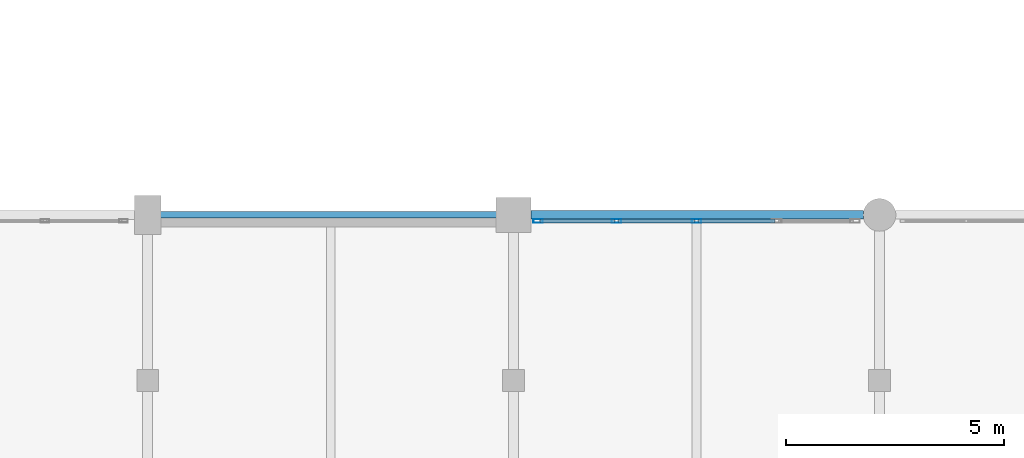
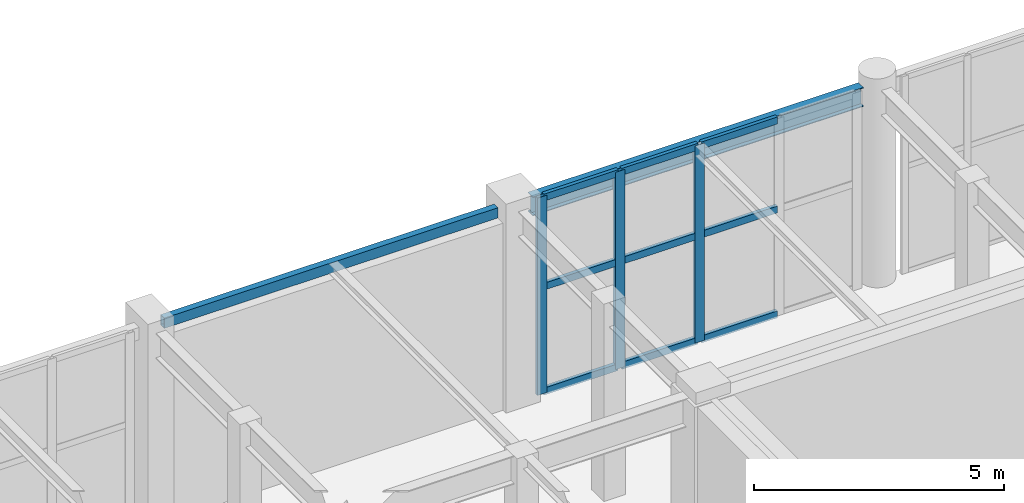
# One storey, part 62 of 128: 12 members, 2 beams, 1 element without a shape of its own.
"""IFC4 building model written with IfcOpenShell, lengths in metres."""

from ifc_helpers import new_model, si_unit, direction, frame, origin, origin_2d, place, context, subcontext, project, spatial, hollow_rectangle, i_section, extrude, material, layer, layer_set, material_profile, profile_set, type_object, element, aggregate, save


model = new_model("IFC4")

# Units and contexts
model_context = context("Model", 3, precision=1e-05, world=origin(), true_north=direction((0.0, 1.0)))
body_context = subcontext(model_context, "Body", "Model", "MODEL_VIEW")
ifc_project = project(units=[si_unit("LENGTHUNIT", "METRE"), si_unit("AREAUNIT", "SQUARE_METRE"), si_unit("VOLUMEUNIT", "CUBIC_METRE"), si_unit("PLANEANGLEUNIT", "RADIAN"), si_unit("MASSUNIT", "GRAM", prefix="KILO")], contexts=[model_context])

# Site, building, storey
site_placement = place(None, origin())
site = spatial("IfcSite", under=ifc_project, at=site_placement, CompositionType="ELEMENT")
building_placement = place(site_placement, origin())
building = spatial("IfcBuilding", under=site, at=building_placement, Name="Xicomal Pleat Aquarium", CompositionType="ELEMENT")
storey_placement = place(building_placement, frame((0.0, 0.0, 5.39990234375)))
storey = spatial("IfcBuildingStorey", under=building, at=storey_placement, Name="L02", CompositionType="ELEMENT", Elevation=5.39990234375)

# Beams
ifc_material_1 = material(Name="Structural steel A992 Gr 50", Category="steel")
ifc_material_profile_1 = material_profile(ifc_material_1, i_section(OverallWidth=0.194091796875, OverallDepth=0.468994140625, WebThickness=0.0126953125, FlangeThickness=0.0205078125, at=origin_2d()), Name="IR 460x106")
ifc_profile_set_1 = profile_set([ifc_material_profile_1], Name="Structural steel A992 Gr 50")
beam_type_1 = type_object("IfcBeamType", Name="BM-STL-IR460", PredefinedType="BEAM", material=ifc_profile_set_1)
beam_1_placement = place(storey_placement, frame((60.9951171875, 83.60009765625, 4.585693359375), z_axis=(1.0, 0.0, 0.0), x_axis=(0.0, 1.0, 0.0)))
element("IfcBeam", 1, at=beam_1_placement, inside=storey, type_object=beam_type_1, Name="L02 framing beam FGX-L02-08-09-M", PredefinedType="BEAM", context=body_context, shape_type="SweptSolid", body=[
    extrude(i_section(OverallWidth=0.194091796875, OverallDepth=0.468994140625, WebThickness=0.0126953125, FlangeThickness=0.0205078125, at=origin_2d()), origin(), (0.0, 0.0, 1.0), 7.634765625),
])
ifc_material_2 = material(Name="Structural steel A500 Gr C", Category="steel")
ifc_material_profile_2 = material_profile(ifc_material_2, hollow_rectangle(XDim=0.14990234375, YDim=0.25, WallThickness=0.010009765625, at=origin_2d()), Name="OR 250x150x10")
ifc_profile_set_2 = profile_set([ifc_material_profile_2], Name="Structural steel A500 Gr C")
beam_type_2 = type_object("IfcBeamType", Name="BM-STL-OR250", PredefinedType="SPANDREL", material=ifc_profile_set_2)
beam_2_placement = place(storey_placement, frame((52.4951171875, 83.60009765625, 4.695068359375), z_axis=(1.0, 0.0, 0.0), x_axis=(0.0, 1.0, 0.0)))
element("IfcBeam", 2, at=beam_2_placement, inside=storey, type_object=beam_type_2, Name="L02 framing beam FGX-L02-07-08-M", PredefinedType="SPANDREL", context=body_context, shape_type="SweptSolid", body=[
    extrude(hollow_rectangle(XDim=0.14990234375, YDim=0.25, WallThickness=0.010009765625, at=origin_2d()), origin(), (0.0, 0.0, 1.0), 7.7099609375),
])

# Curtain wall, members
ifc_material_3 = material(Name="Bronze anodized aluminium 6063-T6", Category="aluminium")
ifc_layer = layer(ifc_material_3, 0.159912109375)
ifc_layer_set = layer_set([ifc_layer], Name="Bronze anodized aluminium 6063-T6")
curtain_wall_type = type_object("IfcCurtainWallType", Name="CW-SYS-12", PredefinedType="NOTDEFINED", material=ifc_layer_set)
curtain_wall_placement = place(storey_placement, origin())
curtain_wall = element("IfcCurtainWall", 3, at=curtain_wall_placement, inside=storey, type_object=curtain_wall_type, Name="L02 unitised curtain wall CW-L02-104", PredefinedType="NOTDEFINED")
ifc_material_4 = material(Name="Bronze anodized aluminium 6063-T6", Category="aluminium")
ifc_material_profile_3 = material_profile(ifc_material_4, hollow_rectangle(XDim=0.0849609375, YDim=0.219970703125, WallThickness=0.0048828125, at=origin_2d()), Name="ALU MULL 85x220")
ifc_profile_set_3 = profile_set([ifc_material_profile_3], Name="Bronze anodized aluminium 6063-T6")
member_type_1 = type_object("IfcMemberType", Name="CWM-85x220", PredefinedType="MULLION", material=ifc_profile_set_3)
member_1_placement = place(storey_placement, frame((61.16259765625, 83.4599609375, 0.0), z_axis=(0.0, 0.0, 1.0), x_axis=(0.0, 1.0, 0.0)))
member_1 = element("IfcMember", 4, at=member_1_placement, type_object=member_type_1, Name="CW-12 mullion 1", PredefinedType="MULLION", context=body_context, shape_type="SweptSolid", body=[
    extrude(hollow_rectangle(XDim=0.0849609375, YDim=0.219970703125, WallThickness=0.0048828125, at=origin_2d()), origin(), (0.0, 0.0, 1.0), 4.820068359375),
])
member_2_placement = place(storey_placement, frame((62.9599609375, 83.4599609375, 0.0), z_axis=(0.0, 0.0, 1.0), x_axis=(0.0, 1.0, 0.0)))
member_2 = element("IfcMember", 5, at=member_2_placement, type_object=member_type_1, Name="CW-12 mullion 2", PredefinedType="MULLION", context=body_context, shape_type="SweptSolid", body=[
    extrude(hollow_rectangle(XDim=0.0849609375, YDim=0.219970703125, WallThickness=0.0048828125, at=origin_2d()), origin(), (0.0, 0.0, 1.0), 4.820068359375),
])
member_3_placement = place(storey_placement, frame((64.800048828125, 83.4599609375, 0.0), z_axis=(0.0, 0.0, 1.0), x_axis=(0.0, 1.0, 0.0)))
member_3 = element("IfcMember", 6, at=member_3_placement, type_object=member_type_1, Name="CW-12 mullion 3", PredefinedType="MULLION", context=body_context, shape_type="SweptSolid", body=[
    extrude(hollow_rectangle(XDim=0.0849609375, YDim=0.219970703125, WallThickness=0.0048828125, at=origin_2d()), origin(), (0.0, 0.0, 1.0), 4.820068359375),
])
ifc_material_5 = material(Name="Bronze anodized aluminium 6063-T6", Category="aluminium")
ifc_material_profile_4 = material_profile(ifc_material_5, hollow_rectangle(XDim=0.0849609375, YDim=0.169921875, WallThickness=0.0048828125, at=origin_2d()), Name="ALU TRAN 85x170")
ifc_profile_set_4 = profile_set([ifc_material_profile_4], Name="Bronze anodized aluminium 6063-T6")
member_type_2 = type_object("IfcMemberType", Name="CWT-85x170", PredefinedType="USERDEFINED", material=ifc_profile_set_4)
member_4_placement = place(storey_placement, frame((61.205078125, 83.4599609375, 0.04248046875), z_axis=(1.0, 0.0, 0.0), x_axis=(0.0, 1.0, 0.0)))
member_4 = element("IfcMember", 7, at=member_4_placement, type_object=member_type_2, Name="CW-12 transom 1.1", ObjectType="TRANSOM", PredefinedType="USERDEFINED", context=body_context, shape_type="SweptSolid", body=[
    extrude(hollow_rectangle(XDim=0.0849609375, YDim=0.169921875, WallThickness=0.0048828125, at=origin_2d()), origin(), (0.0, 0.0, 1.0), 1.71240234375),
])
member_5_placement = place(storey_placement, frame((61.205078125, 83.4599609375, 2.60302734375), z_axis=(1.0, 0.0, 0.0), x_axis=(0.0, 1.0, 0.0)))
member_5 = element("IfcMember", 8, at=member_5_placement, type_object=member_type_2, Name="CW-12 transom 1.2", ObjectType="TRANSOM", PredefinedType="USERDEFINED", context=body_context, shape_type="SweptSolid", body=[
    extrude(hollow_rectangle(XDim=0.0849609375, YDim=0.169921875, WallThickness=0.0048828125, at=origin_2d()), origin(), (0.0, 0.0, 1.0), 1.71240234375),
])
member_6_placement = place(storey_placement, frame((61.205078125, 83.4599609375, 4.777587890625), z_axis=(1.0, 0.0, 0.0), x_axis=(0.0, 1.0, 0.0)))
member_6 = element("IfcMember", 9, at=member_6_placement, type_object=member_type_2, Name="CW-12 transom 1.3", ObjectType="TRANSOM", PredefinedType="USERDEFINED", context=body_context, shape_type="SweptSolid", body=[
    extrude(hollow_rectangle(XDim=0.0849609375, YDim=0.169921875, WallThickness=0.0048828125, at=origin_2d()), origin(), (0.0, 0.0, 1.0), 1.71240234375),
])
member_7_placement = place(storey_placement, frame((63.00244140625, 83.4599609375, 0.04248046875), z_axis=(1.0, 0.0, 0.0), x_axis=(0.0, 1.0, 0.0)))
member_7 = element("IfcMember", 10, at=member_7_placement, type_object=member_type_2, Name="CW-12 transom 2.1", ObjectType="TRANSOM", PredefinedType="USERDEFINED", context=body_context, shape_type="SweptSolid", body=[
    extrude(hollow_rectangle(XDim=0.0849609375, YDim=0.169921875, WallThickness=0.0048828125, at=origin_2d()), origin(), (0.0, 0.0, 1.0), 1.755126953125),
])
member_8_placement = place(storey_placement, frame((63.00244140625, 83.4599609375, 2.60302734375), z_axis=(1.0, 0.0, 0.0), x_axis=(0.0, 1.0, 0.0)))
member_8 = element("IfcMember", 11, at=member_8_placement, type_object=member_type_2, Name="CW-12 transom 2.2", ObjectType="TRANSOM", PredefinedType="USERDEFINED", context=body_context, shape_type="SweptSolid", body=[
    extrude(hollow_rectangle(XDim=0.0849609375, YDim=0.169921875, WallThickness=0.0048828125, at=origin_2d()), origin(), (0.0, 0.0, 1.0), 1.755126953125),
])
member_9_placement = place(storey_placement, frame((63.00244140625, 83.4599609375, 4.777587890625), z_axis=(1.0, 0.0, 0.0), x_axis=(0.0, 1.0, 0.0)))
member_9 = element("IfcMember", 12, at=member_9_placement, type_object=member_type_2, Name="CW-12 transom 2.3", ObjectType="TRANSOM", PredefinedType="USERDEFINED", context=body_context, shape_type="SweptSolid", body=[
    extrude(hollow_rectangle(XDim=0.0849609375, YDim=0.169921875, WallThickness=0.0048828125, at=origin_2d()), origin(), (0.0, 0.0, 1.0), 1.755126953125),
])
member_10_placement = place(storey_placement, frame((64.842529296875, 83.4599609375, 0.04248046875), z_axis=(1.0, 0.0, 0.0), x_axis=(0.0, 1.0, 0.0)))
member_10 = element("IfcMember", 13, at=member_10_placement, type_object=member_type_2, Name="CW-12 transom 3.1", ObjectType="TRANSOM", PredefinedType="USERDEFINED", context=body_context, shape_type="SweptSolid", body=[
    extrude(hollow_rectangle(XDim=0.0849609375, YDim=0.169921875, WallThickness=0.0048828125, at=origin_2d()), origin(), (0.0, 0.0, 1.0), 1.7548828125),
])
member_11_placement = place(storey_placement, frame((64.842529296875, 83.4599609375, 2.60302734375), z_axis=(1.0, 0.0, 0.0), x_axis=(0.0, 1.0, 0.0)))
member_11 = element("IfcMember", 14, at=member_11_placement, type_object=member_type_2, Name="CW-12 transom 3.2", ObjectType="TRANSOM", PredefinedType="USERDEFINED", context=body_context, shape_type="SweptSolid", body=[
    extrude(hollow_rectangle(XDim=0.0849609375, YDim=0.169921875, WallThickness=0.0048828125, at=origin_2d()), origin(), (0.0, 0.0, 1.0), 1.7548828125),
])
member_12_placement = place(storey_placement, frame((64.842529296875, 83.4599609375, 4.777587890625), z_axis=(1.0, 0.0, 0.0), x_axis=(0.0, 1.0, 0.0)))
member_12 = element("IfcMember", 15, at=member_12_placement, type_object=member_type_2, Name="CW-12 transom 3.3", ObjectType="TRANSOM", PredefinedType="USERDEFINED", context=body_context, shape_type="SweptSolid", body=[
    extrude(hollow_rectangle(XDim=0.0849609375, YDim=0.169921875, WallThickness=0.0048828125, at=origin_2d()), origin(), (0.0, 0.0, 1.0), 1.7548828125),
])
aggregate(curtain_wall, [member_1, member_2, member_3, member_4, member_5, member_6, member_7, member_8, member_9, member_10, member_11, member_12])

save(model, "model.ifc")
